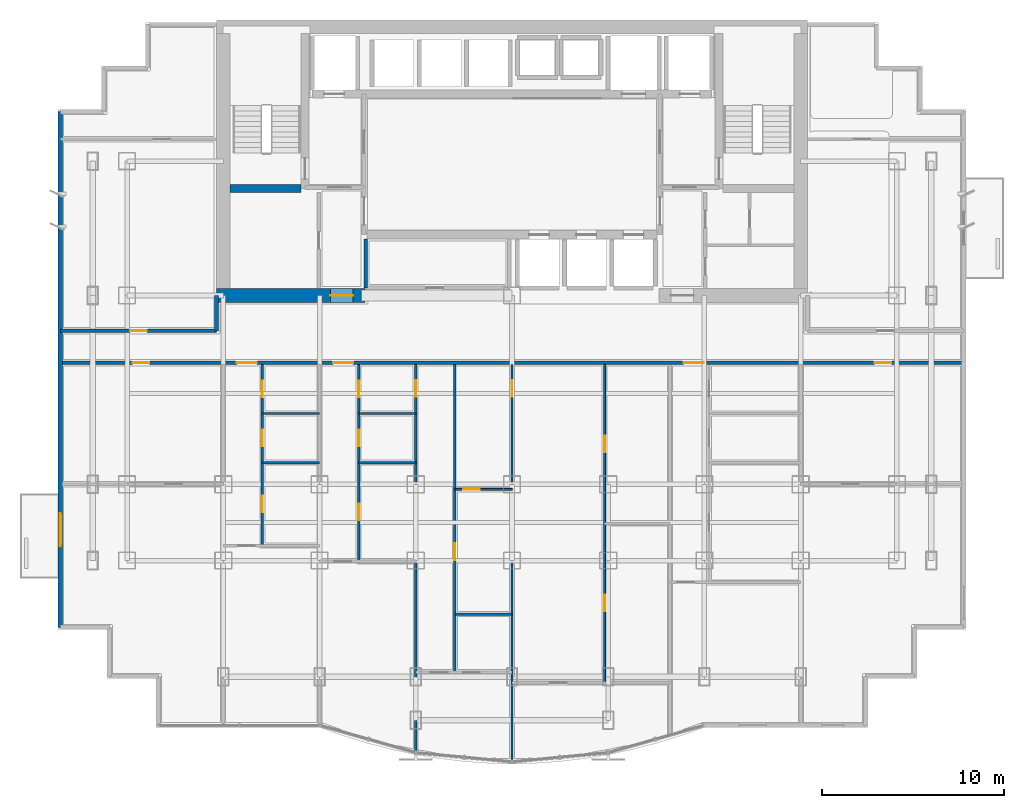
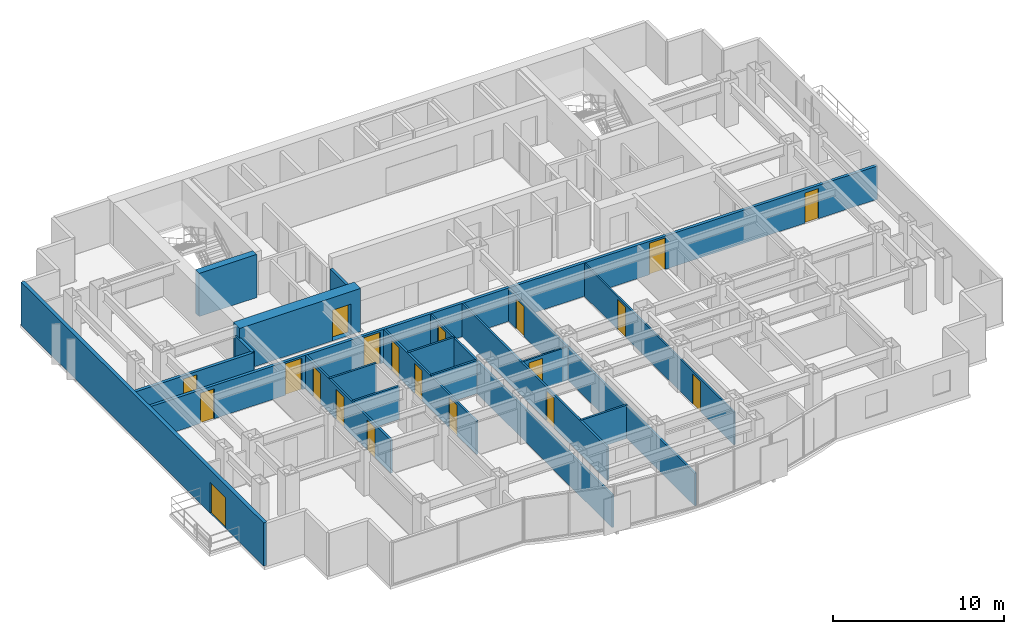
# One storey, part 5 of 10: 20 doors, 19 walls, 20 openings.
"""IFC4 building model written with IfcOpenShell, lengths in metres."""

from ifc_helpers import new_model, si_unit, direction, frame, frame_2d, origin, place, context, subcontext, project, spatial, rectangle, extrude, material, layer, layer_set, type_object, element, fill, save


model = new_model("IFC4")

# Units and contexts
model_context = context("Model", 3, precision=1e-05, world=origin(), true_north=direction((0.0, 1.0)))
body_context = subcontext(model_context, "Body", "Model", "MODEL_VIEW")
ifc_project = project(units=[si_unit("LENGTHUNIT", "METRE"), si_unit("AREAUNIT", "SQUARE_METRE"), si_unit("VOLUMEUNIT", "CUBIC_METRE"), si_unit("PLANEANGLEUNIT", "RADIAN"), si_unit("MASSUNIT", "GRAM", prefix="KILO")], contexts=[model_context])

# Site, building, storey
site_placement = place(None, origin())
site = spatial("IfcSite", under=ifc_project, at=site_placement, CompositionType="ELEMENT")
building_placement = place(site_placement, origin())
building = spatial("IfcBuilding", under=site, at=building_placement, Name="Qianlan Lanfeng Residences", CompositionType="ELEMENT")
storey_placement = place(building_placement, frame((0.0, 0.0, 118.0)))
storey = spatial("IfcBuildingStorey", under=building, at=storey_placement, Name="L32", CompositionType="ELEMENT", Elevation=118.0)

# Wall
ifc_material_1 = material(Name="Concrete C60", Category="concrete")
ifc_layer_1 = layer(ifc_material_1, 0.449951171875)
ifc_layer_set_1 = layer_set([ifc_layer_1], Name="Concrete C60")
wall_type_1 = type_object("IfcWallType", Name="CW-RC-450", PredefinedType="SHEAR", material=ifc_layer_set_1)
wall_1_placement = place(storey_placement, frame((10.97509765625, 31.10009765625, 0.0), z_axis=(0.0, 0.0, 1.0), x_axis=(1.0, 0.0, 0.0)))
element("IfcWall", 1, at=wall_1_placement, inside=storey, type_object=wall_type_1, Name="L32 Core Shear Wall ST1S", PredefinedType="SHEAR", context=body_context, shape_type="SweptSolid", body=[
    extrude(rectangle(XDim=3.89990234375, YDim=0.449951171875, at=frame_2d((1.949951171875, 0.0))), origin(), (0.0, 0.0, 1.0), 3.090087890625),
])

# Wall, opening, door
ifc_layer_2 = layer(ifc_material_1, 0.75)
ifc_layer_set_2 = layer_set([ifc_layer_2], Name="Concrete C60")
wall_type_2 = type_object("IfcWallType", Name="CW-RC-750", PredefinedType="SHEAR", material=ifc_layer_set_2)
wall_2_placement = place(storey_placement, frame((10.22509765625, 25.199951171875, 0.0), z_axis=(0.0, 0.0, 1.0), x_axis=(1.0, 0.0, 0.0)))
wall_2 = element("IfcWall", 2, at=wall_2_placement, inside=storey, type_object=wall_type_2, Name="L32 Core Shear Wall SW", PredefinedType="SHEAR", context=body_context, shape_type="SweptSolid", body=[
    extrude(rectangle(XDim=8.1748046875, YDim=0.75, at=frame_2d((4.08740234375, 0.0))), origin(), (0.0, 0.0, 1.0), 3.090087890625),
])
opening_1_placement = place(wall_2_placement, frame((6.27490234375, 0.0, 0.0)))
opening_1 = element("IfcOpeningElement", 3, at=opening_1_placement, cuts=wall_2, Name="Opening L32-D01", PredefinedType="OPENING", context=body_context, shape_type="SweptSolid", body=[
    extrude(rectangle(XDim=1.25, YDim=2.199951171875, at=frame_2d((0.625, 1.10009765625))), frame((0.0, 0.385009765625, 0.0), z_axis=(0.0, -1.0, 0.0), x_axis=(1.0, 0.0, 0.0)), (0.0, 0.0, 1.0), 0.77001953125),
])
ifc_material_2 = material(Name="Painted Galvanised Steel Fire Door", Category="steel")
door_type_1 = type_object("IfcDoorType", Name="DT-FFL", OperationType="NOTDEFINED", PredefinedType="DOOR", material=ifc_material_2)
door_1_placement = place(opening_1_placement, frame((1.25, 0.0, 0.0), z_axis=(0.0, 0.0, 1.0), x_axis=(-1.0, 0.0, 0.0)))
door_1 = element("IfcDoor", 4, at=door_1_placement, inside=storey, type_object=door_type_1, Name="L32 West Core Lobby Smoke Door L32-D01 (DT-FFL)", OperationType="SINGLE_SWING_RIGHT", OverallHeight=2.199951171875, OverallWidth=1.25, PredefinedType="DOOR", context=body_context, shape_type="SweptSolid", body=[
    extrude(rectangle(XDim=1.25, YDim=2.199951171875, at=frame_2d((0.625, 1.10009765625))), frame((0.0, 0.02490234375, 0.0), z_axis=(0.0, -1.0, 0.0), x_axis=(1.0, 0.0, 0.0)), (0.0, 0.0, 1.0), 0.050048828125),
])
fill(opening_1, door_1)

ifc_material_3 = material(Name="Concrete C42", Category="concrete")
ifc_layer_3 = layer(ifc_material_3, 0.239990234375)
ifc_layer_set_3 = layer_set([ifc_layer_3], Name="Concrete C42")
wall_type_3 = type_object("IfcWallType", Name="EW-240", PredefinedType="SOLIDWALL", material=ifc_layer_set_3)
wall_3_placement = place(storey_placement, frame((1.6201171875, 35.330078125, 0.0), z_axis=(0.0, 0.0, 1.0), x_axis=(0.0, -1.0, 0.0)))
wall_3 = element("IfcWall", 5, at=wall_3_placement, inside=storey, type_object=wall_type_3, Name="L32 Terrace/Balcony Access Exterior Wall 21", PredefinedType="SOLIDWALL", context=body_context, shape_type="SweptSolid", body=[
    extrude(rectangle(XDim=28.41015625, YDim=0.239990234375, at=frame_2d((14.205078125, 0.0))), origin(), (0.0, 0.0, 1.0), 3.090087890625),
])
opening_2_placement = place(wall_3_placement, frame((22.1298828125, 0.0, 0.0)))
opening_2 = element("IfcOpeningElement", 6, at=opening_2_placement, cuts=wall_3, Name="Opening L32-D-WB-S", PredefinedType="OPENING", context=body_context, shape_type="SweptSolid", body=[
    extrude(rectangle(XDim=1.800048828125, YDim=2.199951171875, at=frame_2d((0.89990234375, 1.10009765625))), frame((0.0, 0.1298828125, 0.0), z_axis=(0.0, -1.0, 0.0), x_axis=(1.0, 0.0, 0.0)), (0.0, 0.0, 1.0), 0.260009765625),
])
ifc_material_4 = material(Name="Anodised Bronze Aluminium Framed Glass", Category="aluminium")
door_type_2 = type_object("IfcDoorType", Name="DT-BAL1", OperationType="NOTDEFINED", PredefinedType="DOOR", material=ifc_material_4)
door_2_placement = place(opening_2_placement, frame((1.800048828125, 0.0, 0.0), z_axis=(0.0, 0.0, 1.0), x_axis=(-1.0, 0.0, 0.0)))
door_2 = element("IfcDoor", 7, at=door_2_placement, inside=storey, type_object=door_type_2, Name="L32 Exterior Access Door WB-S", OperationType="DOUBLE_DOOR_SLIDING", OverallHeight=2.199951171875, OverallWidth=1.800048828125, PredefinedType="DOOR", context=body_context, shape_type="SweptSolid", body=[
    extrude(rectangle(XDim=1.800048828125, YDim=2.199951171875, at=frame_2d((0.89990234375, 1.10009765625))), frame((0.0, 0.02490234375, 0.0), z_axis=(0.0, -1.0, 0.0), x_axis=(1.0, 0.0, 0.0)), (0.0, 0.0, 1.0), 0.050048828125),
])
fill(opening_2, door_2)

ifc_material_5 = material(Name="Demountable Acoustic Framing Partition 110 mm")
ifc_layer_4 = layer(ifc_material_5, 0.110107421875)
ifc_layer_set_4 = layer_set([ifc_layer_4], Name="Demountable Acoustic Framing Partition 110 mm")
wall_type_4 = type_object("IfcWallType", Name="PW-110", PredefinedType="MOVABLE", material=ifc_layer_set_4)
wall_4_placement = place(storey_placement, frame((23.35009765625, 14.52294921875, 0.0), z_axis=(0.0, 0.0, 1.0), x_axis=(1.0, 0.0, 0.0)))
wall_4 = element("IfcWall", 8, at=wall_4_placement, inside=storey, type_object=wall_type_4, Name="L32 U02 Wardrobe Split", PredefinedType="MOVABLE", context=body_context, shape_type="SweptSolid", body=[
    extrude(rectangle(XDim=3.14990234375, YDim=0.110107421875, at=frame_2d((1.574951171875, 0.0))), origin(), (0.0, 0.0, 1.0), 2.3798828125),
])
opening_3_placement = place(wall_4_placement, frame((0.465087890625, 0.0, 0.0)))
opening_3 = element("IfcOpeningElement", 9, at=opening_3_placement, cuts=wall_4, Name="Opening L32-D31", PredefinedType="OPENING", context=body_context, shape_type="SweptSolid", body=[
    extrude(rectangle(XDim=0.919921875, YDim=2.14990234375, at=frame_2d((0.4599609375, 1.074951171875))), frame((0.0, 0.06494140625, 0.0), z_axis=(0.0, -1.0, 0.0), x_axis=(1.0, 0.0, 0.0)), (0.0, 0.0, 1.0), 0.130126953125),
])
ifc_material_6 = material(Name="Glazed Timber Kitchen/Study Door", Category="wood")
door_type_3 = type_object("IfcDoorType", Name="DT-INT", OperationType="NOTDEFINED", PredefinedType="DOOR", material=ifc_material_6)
door_3_placement = place(opening_3_placement, frame((0.919921875, 0.0, 0.0), z_axis=(0.0, 0.0, 1.0), x_axis=(-1.0, 0.0, 0.0)))
door_3 = element("IfcDoor", 10, at=door_3_placement, inside=storey, type_object=door_type_3, Name="L32 U02 Dressing Inner Door L32-D31 (DT-INT)", OperationType="SINGLE_SWING_RIGHT", OverallHeight=2.14990234375, OverallWidth=0.919921875, PredefinedType="DOOR", context=body_context, shape_type="SweptSolid", body=[
    extrude(rectangle(XDim=0.919921875, YDim=2.14990234375, at=frame_2d((0.4599609375, 1.074951171875))), frame((0.0, 0.02490234375, 0.0), z_axis=(0.0, -1.0, 0.0), x_axis=(1.0, 0.0, 0.0)), (0.0, 0.0, 1.0), 0.050048828125),
])
fill(opening_3, door_3)

# Wall, openings, doors
wall_5_placement = place(storey_placement, frame((31.60009765625, 3.875, 0.0), z_axis=(0.0, 0.0, 1.0), x_axis=(0.0, 1.0, 0.0)))
wall_5 = element("IfcWall", 11, at=wall_5_placement, inside=storey, type_object=wall_type_4, Name="L32 U02 Bedroom 2 Hall Wall", PredefinedType="MOVABLE", context=body_context, shape_type="SweptSolid", body=[
    extrude(rectangle(XDim=17.52490234375, YDim=0.110107421875, at=frame_2d((8.762451171875, 0.0))), origin(), (0.0, 0.0, 1.0), 2.3349609375),
])
opening_4_placement = place(wall_5_placement, frame((3.9208984375, 0.0, 0.0)))
opening_4 = element("IfcOpeningElement", 12, at=opening_4_placement, cuts=wall_5, Name="Opening L32-D33", PredefinedType="OPENING", context=body_context, shape_type="SweptSolid", body=[
    extrude(rectangle(XDim=0.919921875, YDim=2.14990234375, at=frame_2d((0.4599609375, 1.074951171875))), frame((0.0, 0.06494140625, 0.0), z_axis=(0.0, -1.0, 0.0), x_axis=(1.0, 0.0, 0.0)), (0.0, 0.0, 1.0), 0.130126953125),
])
opening_5_placement = place(wall_5_placement, frame((12.68310546875, 0.0, 0.0)))
opening_5 = element("IfcOpeningElement", 13, at=opening_5_placement, cuts=wall_5, Name="Opening L32-D34", PredefinedType="OPENING", context=body_context, shape_type="SweptSolid", body=[
    extrude(rectangle(XDim=0.919921875, YDim=2.14990234375, at=frame_2d((0.4599609375, 1.074951171875))), frame((0.0, 0.06494140625, 0.0), z_axis=(0.0, -1.0, 0.0), x_axis=(1.0, 0.0, 0.0)), (0.0, 0.0, 1.0), 0.130126953125),
])
door_4_placement = place(opening_4_placement, origin())
door_4 = element("IfcDoor", 14, at=door_4_placement, inside=storey, type_object=door_type_3, Name="L32 U02 Utility Door L32-D33 (DT-INT)", OperationType="SINGLE_SWING_LEFT", OverallHeight=2.14990234375, OverallWidth=0.919921875, PredefinedType="DOOR", context=body_context, shape_type="SweptSolid", body=[
    extrude(rectangle(XDim=0.919921875, YDim=2.14990234375, at=frame_2d((0.4599609375, 1.074951171875))), frame((0.0, 0.02490234375, 0.0), z_axis=(0.0, -1.0, 0.0), x_axis=(1.0, 0.0, 0.0)), (0.0, 0.0, 1.0), 0.050048828125),
])
fill(opening_4, door_4)
door_5_placement = place(opening_5_placement, origin())
door_5 = element("IfcDoor", 15, at=door_5_placement, inside=storey, type_object=door_type_3, Name="L32 U02 Specialty Door L32-D34 (DT-INT)", OperationType="SINGLE_SWING_RIGHT", OverallHeight=2.14990234375, OverallWidth=0.919921875, PredefinedType="DOOR", context=body_context, shape_type="SweptSolid", body=[
    extrude(rectangle(XDim=0.919921875, YDim=2.14990234375, at=frame_2d((0.4599609375, 1.074951171875))), frame((0.0, 0.02490234375, 0.0), z_axis=(0.0, -1.0, 0.0), x_axis=(1.0, 0.0, 0.0)), (0.0, 0.0, 1.0), 0.050048828125),
])
fill(opening_5, door_5)

ifc_material_7 = material(Name="Moisture-Resistant Gypsum Partition 135 mm")
ifc_layer_5 = layer(ifc_material_7, 0.135009765625)
ifc_layer_set_5 = layer_set([ifc_layer_5], Name="Moisture-Resistant Gypsum Partition 135 mm")
wall_type_5 = type_object("IfcWallType", Name="PW-135", PredefinedType="PARTITIONING", material=ifc_layer_set_5)
wall_6_placement = place(storey_placement, frame((12.75, 11.419921875, 0.0), z_axis=(0.0, 0.0, 1.0), x_axis=(0.0, 1.0, 0.0)))
wall_6 = element("IfcWall", 16, at=wall_6_placement, inside=storey, type_object=wall_type_5, Name="L32 U01 Entry Hall Spine", PredefinedType="PARTITIONING", context=body_context, shape_type="SweptSolid", body=[
    extrude(rectangle(XDim=9.97998046875, YDim=0.135009765625, at=frame_2d((4.989990234375, 0.0))), origin(), (0.0, 0.0, 1.0), 2.3798828125),
])
opening_6_placement = place(wall_6_placement, frame((1.830078125, 0.0, 0.0)))
opening_6 = element("IfcOpeningElement", 17, at=opening_6_placement, cuts=wall_6, Name="Opening L32-D18", PredefinedType="OPENING", context=body_context, shape_type="SweptSolid", body=[
    extrude(rectangle(XDim=0.919921875, YDim=2.14990234375, at=frame_2d((0.4599609375, 1.074951171875))), frame((0.0, 0.07763671875, 0.0), z_axis=(0.0, -1.0, 0.0), x_axis=(1.0, 0.0, 0.0)), (0.0, 0.0, 1.0), 0.155029296875),
])
opening_7_placement = place(wall_6_placement, frame((5.469970703125, 0.0, 0.0)))
opening_7 = element("IfcOpeningElement", 18, at=opening_7_placement, cuts=wall_6, Name="Opening L32-D19", PredefinedType="OPENING", context=body_context, shape_type="SweptSolid", body=[
    extrude(rectangle(XDim=0.919921875, YDim=2.14990234375, at=frame_2d((0.4599609375, 1.074951171875))), frame((0.0, 0.07763671875, 0.0), z_axis=(0.0, -1.0, 0.0), x_axis=(1.0, 0.0, 0.0)), (0.0, 0.0, 1.0), 0.155029296875),
])
opening_8_placement = place(wall_6_placement, frame((8.179931640625, 0.0, 0.0)))
opening_8 = element("IfcOpeningElement", 19, at=opening_8_placement, cuts=wall_6, Name="Opening L32-D20", PredefinedType="OPENING", context=body_context, shape_type="SweptSolid", body=[
    extrude(rectangle(XDim=0.89990234375, YDim=2.14990234375, at=frame_2d((0.449951171875, 1.074951171875))), frame((0.0, 0.07763671875, 0.0), z_axis=(0.0, -1.0, 0.0), x_axis=(1.0, 0.0, 0.0)), (0.0, 0.0, 1.0), 0.155029296875),
])
door_6_placement = place(opening_6_placement, origin())
door_6 = element("IfcDoor", 20, at=door_6_placement, inside=storey, type_object=door_type_3, Name="L32 U01 Study Door L32-D18 (DT-INT)", OperationType="SINGLE_SWING_RIGHT", OverallHeight=2.14990234375, OverallWidth=0.919921875, PredefinedType="DOOR", context=body_context, shape_type="SweptSolid", body=[
    extrude(rectangle(XDim=0.919921875, YDim=2.14990234375, at=frame_2d((0.4599609375, 1.074951171875))), frame((0.0, 0.02490234375, 0.0), z_axis=(0.0, -1.0, 0.0), x_axis=(1.0, 0.0, 0.0)), (0.0, 0.0, 1.0), 0.050048828125),
])
fill(opening_6, door_6)
door_7_placement = place(opening_7_placement, origin())
door_7 = element("IfcDoor", 21, at=door_7_placement, inside=storey, type_object=door_type_3, Name="L32 U01 Kitchen Door L32-D19 (DT-INT)", OperationType="SINGLE_SWING_LEFT", OverallHeight=2.14990234375, OverallWidth=0.919921875, PredefinedType="DOOR", context=body_context, shape_type="SweptSolid", body=[
    extrude(rectangle(XDim=0.919921875, YDim=2.14990234375, at=frame_2d((0.4599609375, 1.074951171875))), frame((0.0, 0.02490234375, 0.0), z_axis=(0.0, -1.0, 0.0), x_axis=(1.0, 0.0, 0.0)), (0.0, 0.0, 1.0), 0.050048828125),
])
fill(opening_7, door_7)
ifc_material_8 = material(Name="Moisture-Resistant Timber Leaf", Category="wood")
door_type_4 = type_object("IfcDoorType", Name="DT-WC", OperationType="NOTDEFINED", PredefinedType="DOOR", material=ifc_material_8)
door_8_placement = place(opening_8_placement, origin())
door_8 = element("IfcDoor", 22, at=door_8_placement, inside=storey, type_object=door_type_4, Name="L32 U01 Bathroom Door L32-D20 (DT-WC)", OperationType="SINGLE_SWING_RIGHT", OverallHeight=2.14990234375, OverallWidth=0.89990234375, PredefinedType="DOOR", context=body_context, shape_type="SweptSolid", body=[
    extrude(rectangle(XDim=0.89990234375, YDim=2.14990234375, at=frame_2d((0.449951171875, 1.074951171875))), frame((0.0, 0.02490234375, 0.0), z_axis=(0.0, -1.0, 0.0), x_axis=(1.0, 0.0, 0.0)), (0.0, 0.0, 1.0), 0.050048828125),
])
fill(opening_8, door_8)

# Walls
for number, where, z_axis, x_axis, name in (
    (23, (12.75, 16.0, 0.0), (0.0, 0.0, 1.0), (1.0, 0.0, 0.0), "L32 U01 Kitchen South Wall"),
    (24, (12.75, 18.699951171875, 0.0), (0.0, 0.0, 1.0), (1.0, 0.0, 0.0), "L32 U01 Bathroom South Wall"),
):
    element("IfcWall", number, at=place(storey_placement, frame(where, z_axis=z_axis, x_axis=x_axis)), inside=storey, type_object=wall_type_5, Name=name, PredefinedType="PARTITIONING", context=body_context, shape_type="SweptSolid", body=[
        extrude(rectangle(XDim=3.14990234375, YDim=0.135009765625, at=frame_2d((1.574951171875, 0.0))), origin(), (0.0, 0.0, 1.0), 2.3798828125),
    ])

# Wall, opening, door
wall_7_placement = place(storey_placement, frame((21.199951171875, 0.126953125, 0.0), z_axis=(0.0, 0.0, 1.0), x_axis=(0.0, 1.0, 0.0)))
wall_7 = element("IfcWall", 25, at=wall_7_placement, inside=storey, type_object=wall_type_5, Name="L32 U02 Bay Spine Wall 1", PredefinedType="PARTITIONING", context=body_context, shape_type="SweptSolid", body=[
    extrude(rectangle(XDim=21.27294921875, YDim=0.135009765625, at=frame_2d((10.636474609375, 0.0))), origin(), (0.0, 0.0, 1.0), 2.3349609375),
])
opening_9_placement = place(wall_7_placement, frame((19.488037109375, 0.0, 0.0)))
opening_9 = element("IfcOpeningElement", 26, at=opening_9_placement, cuts=wall_7, Name="Opening L32-D22", PredefinedType="OPENING", context=body_context, shape_type="SweptSolid", body=[
    extrude(rectangle(XDim=0.919921875, YDim=2.14990234375, at=frame_2d((0.4599609375, 1.074951171875))), frame((0.0, 0.07763671875, 0.0), z_axis=(0.0, -1.0, 0.0), x_axis=(1.0, 0.0, 0.0)), (0.0, 0.0, 1.0), 0.155029296875),
])
door_9_placement = place(opening_9_placement, origin())
door_9 = element("IfcDoor", 27, at=door_9_placement, inside=storey, type_object=door_type_3, Name="L32 U02 Internal Hall Door L32-D22 (DT-INT)", OperationType="SINGLE_SWING_RIGHT", OverallHeight=2.14990234375, OverallWidth=0.919921875, PredefinedType="DOOR", context=body_context, shape_type="SweptSolid", body=[
    extrude(rectangle(XDim=0.919921875, YDim=2.14990234375, at=frame_2d((0.4599609375, 1.074951171875))), frame((0.0, 0.02490234375, 0.0), z_axis=(0.0, -1.0, 0.0), x_axis=(1.0, 0.0, 0.0)), (0.0, 0.0, 1.0), 0.050048828125),
])
fill(opening_9, door_9)

wall_8_placement = place(storey_placement, frame((26.5, -0.3798828125, 0.0), z_axis=(0.0, 0.0, 1.0), x_axis=(0.0, 1.0, 0.0)))
wall_8 = element("IfcWall", 28, at=wall_8_placement, inside=storey, type_object=wall_type_5, Name="L32 U02 Bay Spine Wall 2", PredefinedType="PARTITIONING", context=body_context, shape_type="SweptSolid", body=[
    extrude(rectangle(XDim=21.77978515625, YDim=0.135009765625, at=frame_2d((10.889892578125, 0.0))), origin(), (0.0, 0.0, 1.0), 2.3349609375),
])
opening_10_placement = place(wall_8_placement, frame((19.9951171875, 0.0, 0.0)))
opening_10 = element("IfcOpeningElement", 29, at=opening_10_placement, cuts=wall_8, Name="Opening L32-D23", PredefinedType="OPENING", context=body_context, shape_type="SweptSolid", body=[
    extrude(rectangle(XDim=0.919921875, YDim=2.14990234375, at=frame_2d((0.4599609375, 1.074951171875))), frame((0.0, 0.07763671875, 0.0), z_axis=(0.0, -1.0, 0.0), x_axis=(1.0, 0.0, 0.0)), (0.0, 0.0, 1.0), 0.155029296875),
])
door_10_placement = place(opening_10_placement, origin())
door_10 = element("IfcDoor", 30, at=door_10_placement, inside=storey, type_object=door_type_3, Name="L32 U02 Internal Hall Door L32-D23 (DT-INT)", OperationType="SINGLE_SWING_LEFT", OverallHeight=2.14990234375, OverallWidth=0.919921875, PredefinedType="DOOR", context=body_context, shape_type="SweptSolid", body=[
    extrude(rectangle(XDim=0.919921875, YDim=2.14990234375, at=frame_2d((0.4599609375, 1.074951171875))), frame((0.0, 0.02490234375, 0.0), z_axis=(0.0, -1.0, 0.0), x_axis=(1.0, 0.0, 0.0)), (0.0, 0.0, 1.0), 0.050048828125),
])
fill(opening_10, door_10)

# Wall, openings, doors
wall_9_placement = place(storey_placement, frame((18.050048828125, 10.56005859375, 0.0), z_axis=(0.0, 0.0, 1.0), x_axis=(0.0, 1.0, 0.0)))
wall_9 = element("IfcWall", 31, at=wall_9_placement, inside=storey, type_object=wall_type_5, Name="L32 U02 Entry Hall Spine", PredefinedType="PARTITIONING", context=body_context, shape_type="SweptSolid", body=[
    extrude(rectangle(XDim=10.83984375, YDim=0.135009765625, at=frame_2d((5.419921875, 0.0))), origin(), (0.0, 0.0, 1.0), 2.3798828125),
])
opening_11_placement = place(wall_9_placement, frame((2.260009765625, 0.0, 0.0)))
opening_11 = element("IfcOpeningElement", 32, at=opening_11_placement, cuts=wall_9, Name="Opening L32-D25", PredefinedType="OPENING", context=body_context, shape_type="SweptSolid", body=[
    extrude(rectangle(XDim=0.919921875, YDim=2.14990234375, at=frame_2d((0.4599609375, 1.074951171875))), frame((0.0, 0.07763671875, 0.0), z_axis=(0.0, -1.0, 0.0), x_axis=(1.0, 0.0, 0.0)), (0.0, 0.0, 1.0), 0.155029296875),
])
opening_12_placement = place(wall_9_placement, frame((6.330078125, 0.0, 0.0)))
opening_12 = element("IfcOpeningElement", 33, at=opening_12_placement, cuts=wall_9, Name="Opening L32-D26", PredefinedType="OPENING", context=body_context, shape_type="SweptSolid", body=[
    extrude(rectangle(XDim=0.919921875, YDim=2.14990234375, at=frame_2d((0.4599609375, 1.074951171875))), frame((0.0, 0.07763671875, 0.0), z_axis=(0.0, -1.0, 0.0), x_axis=(1.0, 0.0, 0.0)), (0.0, 0.0, 1.0), 0.155029296875),
])
opening_13_placement = place(wall_9_placement, frame((9.0400390625, 0.0, 0.0)))
opening_13 = element("IfcOpeningElement", 34, at=opening_13_placement, cuts=wall_9, Name="Opening L32-D27", PredefinedType="OPENING", context=body_context, shape_type="SweptSolid", body=[
    extrude(rectangle(XDim=0.89990234375, YDim=2.14990234375, at=frame_2d((0.449951171875, 1.074951171875))), frame((0.0, 0.07763671875, 0.0), z_axis=(0.0, -1.0, 0.0), x_axis=(1.0, 0.0, 0.0)), (0.0, 0.0, 1.0), 0.155029296875),
])
door_11_placement = place(opening_11_placement, origin())
door_11 = element("IfcDoor", 35, at=door_11_placement, inside=storey, type_object=door_type_3, Name="L32 U02 Study Door L32-D25 (DT-INT)", OperationType="SINGLE_SWING_LEFT", OverallHeight=2.14990234375, OverallWidth=0.919921875, PredefinedType="DOOR", context=body_context, shape_type="SweptSolid", body=[
    extrude(rectangle(XDim=0.919921875, YDim=2.14990234375, at=frame_2d((0.4599609375, 1.074951171875))), frame((0.0, 0.02490234375, 0.0), z_axis=(0.0, -1.0, 0.0), x_axis=(1.0, 0.0, 0.0)), (0.0, 0.0, 1.0), 0.050048828125),
])
fill(opening_11, door_11)
door_12_placement = place(opening_12_placement, origin())
door_12 = element("IfcDoor", 36, at=door_12_placement, inside=storey, type_object=door_type_3, Name="L32 U02 Kitchen Door L32-D26 (DT-INT)", OperationType="SINGLE_SWING_RIGHT", OverallHeight=2.14990234375, OverallWidth=0.919921875, PredefinedType="DOOR", context=body_context, shape_type="SweptSolid", body=[
    extrude(rectangle(XDim=0.919921875, YDim=2.14990234375, at=frame_2d((0.4599609375, 1.074951171875))), frame((0.0, 0.02490234375, 0.0), z_axis=(0.0, -1.0, 0.0), x_axis=(1.0, 0.0, 0.0)), (0.0, 0.0, 1.0), 0.050048828125),
])
fill(opening_12, door_12)
door_13_placement = place(opening_13_placement, origin())
door_13 = element("IfcDoor", 37, at=door_13_placement, inside=storey, type_object=door_type_4, Name="L32 U02 Bathroom Door L32-D27 (DT-WC)", OperationType="SINGLE_SWING_LEFT", OverallHeight=2.14990234375, OverallWidth=0.89990234375, PredefinedType="DOOR", context=body_context, shape_type="SweptSolid", body=[
    extrude(rectangle(XDim=0.89990234375, YDim=2.14990234375, at=frame_2d((0.449951171875, 1.074951171875))), frame((0.0, 0.02490234375, 0.0), z_axis=(0.0, -1.0, 0.0), x_axis=(1.0, 0.0, 0.0)), (0.0, 0.0, 1.0), 0.050048828125),
])
fill(opening_13, door_13)

# Walls
for number, where, z_axis, x_axis, name in (
    (38, (18.050048828125, 16.0, 0.0), (0.0, 0.0, 1.0), (1.0, 0.0, 0.0), "L32 U02 Kitchen South Wall"),
    (39, (18.050048828125, 18.699951171875, 0.0), (0.0, 0.0, 1.0), (1.0, 0.0, 0.0), "L32 U02 Bathroom South Wall"),
):
    element("IfcWall", number, at=place(storey_placement, frame(where, z_axis=z_axis, x_axis=x_axis)), inside=storey, type_object=wall_type_5, Name=name, PredefinedType="PARTITIONING", context=body_context, shape_type="SweptSolid", body=[
        extrude(rectangle(XDim=3.14990234375, YDim=0.135009765625, at=frame_2d((1.574951171875, 0.0))), origin(), (0.0, 0.0, 1.0), 2.3798828125),
    ])

# Wall, opening, door
wall_10_placement = place(storey_placement, frame((23.35009765625, 4.447021484375, 0.0), z_axis=(0.0, 0.0, 1.0), x_axis=(0.0, 1.0, 0.0)))
wall_10 = element("IfcWall", 40, at=wall_10_placement, inside=storey, type_object=wall_type_5, Name="L32 U02 Master Passage Wall", PredefinedType="PARTITIONING", context=body_context, shape_type="SweptSolid", body=[
    extrude(rectangle(XDim=16.952880859375, YDim=0.135009765625, at=frame_2d((8.4765625, 0.0))), origin(), (0.0, 0.0, 1.0), 2.3798828125),
])
opening_14_placement = place(wall_10_placement, frame((6.177978515625, 0.0, 0.0)))
opening_14 = element("IfcOpeningElement", 41, at=opening_14_placement, cuts=wall_10, Name="Opening L32-D30", PredefinedType="OPENING", context=body_context, shape_type="SweptSolid", body=[
    extrude(rectangle(XDim=0.919921875, YDim=2.14990234375, at=frame_2d((0.4599609375, 1.074951171875))), frame((0.0, 0.07763671875, 0.0), z_axis=(0.0, -1.0, 0.0), x_axis=(1.0, 0.0, 0.0)), (0.0, 0.0, 1.0), 0.155029296875),
])
door_14_placement = place(opening_14_placement, origin())
door_14 = element("IfcDoor", 42, at=door_14_placement, inside=storey, type_object=door_type_3, Name="L32 U02 Wardrobe Door L32-D30 (DT-INT)", OperationType="SINGLE_SWING_RIGHT", OverallHeight=2.14990234375, OverallWidth=0.919921875, PredefinedType="DOOR", context=body_context, shape_type="SweptSolid", body=[
    extrude(rectangle(XDim=0.919921875, YDim=2.14990234375, at=frame_2d((0.4599609375, 1.074951171875))), frame((0.0, 0.02490234375, 0.0), z_axis=(0.0, -1.0, 0.0), x_axis=(1.0, 0.0, 0.0)), (0.0, 0.0, 1.0), 0.050048828125),
])
fill(opening_14, door_14)

# Walls
wall_11_placement = place(storey_placement, frame((23.35009765625, 7.64697265625, 0.0), z_axis=(0.0, 0.0, 1.0), x_axis=(1.0, 0.0, 0.0)))
element("IfcWall", 43, at=wall_11_placement, inside=storey, type_object=wall_type_5, Name="L32 U02 En-Suite North Wall", PredefinedType="PARTITIONING", context=body_context, shape_type="SweptSolid", body=[
    extrude(rectangle(XDim=3.14990234375, YDim=0.135009765625, at=frame_2d((1.574951171875, 0.0))), origin(), (0.0, 0.0, 1.0), 2.3798828125),
])
ifc_material_9 = material(Name="Double-Layer Acoustic Gypsum Stud Wall 180 mm")
ifc_layer_6 = layer(ifc_material_9, 0.179931640625)
ifc_layer_set_6 = layer_set([ifc_layer_6], Name="Double-Layer Acoustic Gypsum Stud Wall 180 mm")
wall_type_6 = type_object("IfcWallType", Name="PW-180", PredefinedType="PARTITIONING", material=ifc_layer_set_6)
wall_12_placement = place(storey_placement, frame((18.449951171875, 25.6201171875, 0.0), z_axis=(0.0, 0.0, 1.0), x_axis=(0.0, 1.0, 0.0)))
element("IfcWall", 44, at=wall_12_placement, inside=storey, type_object=wall_type_6, Name="L32 Reclaimed Low-Bank Room West Wall", PredefinedType="PARTITIONING", context=body_context, shape_type="SweptSolid", body=[
    extrude(rectangle(XDim=2.704833984375, YDim=0.179931640625, at=frame_2d((1.3525390625, 0.0))), origin(), (0.0, 0.0, 1.0), 2.3798828125),
])

# Wall, openings, doors
ifc_material_10 = material(Name="Autoclaved Aerated Concrete Blockwork 200 mm", Category="masonry")
ifc_layer_7 = layer(ifc_material_10, 0.199951171875)
ifc_layer_set_7 = layer_set([ifc_layer_7], Name="Autoclaved Aerated Concrete Blockwork 200 mm")
wall_type_7 = type_object("IfcWallType", Name="PW-200", PredefinedType="PARTITIONING", material=ifc_layer_set_7)
wall_13_placement = place(storey_placement, frame((1.6201171875, 21.5, 0.0), z_axis=(0.0, 0.0, 1.0), x_axis=(1.0, 0.0, 0.0)))
wall_13 = element("IfcWall", 45, at=wall_13_placement, inside=storey, type_object=wall_type_7, Name="L32 Residential Corridor South Fire Wall", PredefinedType="PARTITIONING", context=body_context, shape_type="SweptSolid", body=[
    extrude(rectangle(XDim=49.759765625, YDim=0.199951171875, at=frame_2d((24.8798828125, 0.0))), origin(), (0.0, 0.0, 1.0), 2.3798828125),
])
opening_15_placement = place(wall_13_placement, frame((9.72998046875, 0.0, 0.0)))
opening_15 = element("IfcOpeningElement", 46, at=opening_15_placement, cuts=wall_13, Name="Opening L32-D16", PredefinedType="OPENING", context=body_context, shape_type="SweptSolid", body=[
    extrude(rectangle(XDim=1.10009765625, YDim=2.25, at=frame_2d((0.550048828125, 1.125))), frame((0.0, 0.10986328125, 0.0), z_axis=(0.0, -1.0, 0.0), x_axis=(1.0, 0.0, 0.0)), (0.0, 0.0, 1.0), 0.219970703125),
])
opening_16_placement = place(wall_13_placement, frame((15.030029296875, 0.0, 0.0)))
opening_16 = element("IfcOpeningElement", 47, at=opening_16_placement, cuts=wall_13, Name="Opening L32-D21", PredefinedType="OPENING", context=body_context, shape_type="SweptSolid", body=[
    extrude(rectangle(XDim=1.10009765625, YDim=2.25, at=frame_2d((0.550048828125, 1.125))), frame((0.0, 0.10986328125, 0.0), z_axis=(0.0, -1.0, 0.0), x_axis=(1.0, 0.0, 0.0)), (0.0, 0.0, 1.0), 0.219970703125),
])
opening_17_placement = place(wall_13_placement, frame((34.330078125, 0.0, 0.0)))
opening_17 = element("IfcOpeningElement", 48, at=opening_17_placement, cuts=wall_13, Name="Opening L32-D35", PredefinedType="OPENING", context=body_context, shape_type="SweptSolid", body=[
    extrude(rectangle(XDim=1.10009765625, YDim=2.25, at=frame_2d((0.550048828125, 1.125))), frame((0.0, 0.10986328125, 0.0), z_axis=(0.0, -1.0, 0.0), x_axis=(1.0, 0.0, 0.0)), (0.0, 0.0, 1.0), 0.219970703125),
])
opening_18_placement = place(wall_13_placement, frame((3.985107421875, 0.0, 0.0)))
opening_18 = element("IfcOpeningElement", 49, at=opening_18_placement, cuts=wall_13, Name="Opening L32-D41", PredefinedType="OPENING", context=body_context, shape_type="SweptSolid", body=[
    extrude(rectangle(XDim=0.919921875, YDim=2.14990234375, at=frame_2d((0.4599609375, 1.074951171875))), frame((0.0, 0.10986328125, 0.0), z_axis=(0.0, -1.0, 0.0), x_axis=(1.0, 0.0, 0.0)), (0.0, 0.0, 1.0), 0.219970703125),
])
opening_19_placement = place(wall_13_placement, frame((44.85498046875, 0.0, 0.0)))
opening_19 = element("IfcOpeningElement", 50, at=opening_19_placement, cuts=wall_13, Name="Opening L32-D43", PredefinedType="OPENING", context=body_context, shape_type="SweptSolid", body=[
    extrude(rectangle(XDim=0.919921875, YDim=2.14990234375, at=frame_2d((0.4599609375, 1.074951171875))), frame((0.0, 0.10986328125, 0.0), z_axis=(0.0, -1.0, 0.0), x_axis=(1.0, 0.0, 0.0)), (0.0, 0.0, 1.0), 0.219970703125),
])
door_15_placement = place(opening_18_placement, origin())
door_15 = element("IfcDoor", 51, at=door_15_placement, inside=storey, type_object=door_type_3, Name="L32 SWP Corridor Door L32-D41 (DT-INT)", OperationType="SINGLE_SWING_LEFT", OverallHeight=2.14990234375, OverallWidth=0.919921875, PredefinedType="DOOR", context=body_context, shape_type="SweptSolid", body=[
    extrude(rectangle(XDim=0.919921875, YDim=2.14990234375, at=frame_2d((0.4599609375, 1.074951171875))), frame((0.0, 0.02490234375, 0.0), z_axis=(0.0, -1.0, 0.0), x_axis=(1.0, 0.0, 0.0)), (0.0, 0.0, 1.0), 0.050048828125),
])
fill(opening_18, door_15)
door_16_placement = place(opening_19_placement, origin())
door_16 = element("IfcDoor", 52, at=door_16_placement, inside=storey, type_object=door_type_3, Name="L32 SEP Corridor Door L32-D43 (DT-INT)", OperationType="SINGLE_SWING_LEFT", OverallHeight=2.14990234375, OverallWidth=0.919921875, PredefinedType="DOOR", context=body_context, shape_type="SweptSolid", body=[
    extrude(rectangle(XDim=0.919921875, YDim=2.14990234375, at=frame_2d((0.4599609375, 1.074951171875))), frame((0.0, 0.02490234375, 0.0), z_axis=(0.0, -1.0, 0.0), x_axis=(1.0, 0.0, 0.0)), (0.0, 0.0, 1.0), 0.050048828125),
])
fill(opening_19, door_16)
ifc_material_11 = material(Name="Solid-Core Oak Veneer Fire Door")
door_type_5 = type_object("IfcDoorType", Name="DT-UNIT", OperationType="NOTDEFINED", PredefinedType="DOOR", material=ifc_material_11)
door_17_placement = place(opening_15_placement, origin())
door_17 = element("IfcDoor", 53, at=door_17_placement, inside=storey, type_object=door_type_5, Name="L32 Apartment U01 Entrance Door L32-D16 (DT-UNIT)", OperationType="SINGLE_SWING_RIGHT", OverallHeight=2.25, OverallWidth=1.10009765625, PredefinedType="DOOR", context=body_context, shape_type="SweptSolid", body=[
    extrude(rectangle(XDim=1.10009765625, YDim=2.25, at=frame_2d((0.550048828125, 1.125))), frame((0.0, 0.02490234375, 0.0), z_axis=(0.0, -1.0, 0.0), x_axis=(1.0, 0.0, 0.0)), (0.0, 0.0, 1.0), 0.050048828125),
])
fill(opening_15, door_17)
door_18_placement = place(opening_16_placement, origin())
door_18 = element("IfcDoor", 54, at=door_18_placement, inside=storey, type_object=door_type_5, Name="L32 Apartment U02 Entrance Door L32-D21 (DT-UNIT)", OperationType="SINGLE_SWING_RIGHT", OverallHeight=2.25, OverallWidth=1.10009765625, PredefinedType="DOOR", context=body_context, shape_type="SweptSolid", body=[
    extrude(rectangle(XDim=1.10009765625, YDim=2.25, at=frame_2d((0.550048828125, 1.125))), frame((0.0, 0.02490234375, 0.0), z_axis=(0.0, -1.0, 0.0), x_axis=(1.0, 0.0, 0.0)), (0.0, 0.0, 1.0), 0.050048828125),
])
fill(opening_16, door_18)
door_19_placement = place(opening_17_placement, origin())
door_19 = element("IfcDoor", 55, at=door_19_placement, inside=storey, type_object=door_type_5, Name="L32 Apartment U03 Entrance Door L32-D35 (DT-UNIT)", OperationType="SINGLE_SWING_RIGHT", OverallHeight=2.25, OverallWidth=1.10009765625, PredefinedType="DOOR", context=body_context, shape_type="SweptSolid", body=[
    extrude(rectangle(XDim=1.10009765625, YDim=2.25, at=frame_2d((0.550048828125, 1.125))), frame((0.0, 0.02490234375, 0.0), z_axis=(0.0, -1.0, 0.0), x_axis=(1.0, 0.0, 0.0)), (0.0, 0.0, 1.0), 0.050048828125),
])
fill(opening_17, door_19)

# Wall, opening, door
wall_14_placement = place(storey_placement, frame((1.6201171875, 23.25, 0.0), z_axis=(0.0, 0.0, 1.0), x_axis=(1.0, 0.0, 0.0)))
wall_14 = element("IfcWall", 56, at=wall_14_placement, inside=storey, type_object=wall_type_7, Name="L32 Corridor NW Wall", PredefinedType="PARTITIONING", context=body_context, shape_type="SweptSolid", body=[
    extrude(rectangle(XDim=8.60498046875, YDim=0.199951171875, at=frame_2d((4.302490234375, 0.0))), origin(), (0.0, 0.0, 1.0), 2.3798828125),
])
opening_20_placement = place(wall_14_placement, frame((3.842041015625, 0.0, 0.0)))
opening_20 = element("IfcOpeningElement", 57, at=opening_20_placement, cuts=wall_14, Name="Opening L32-D45", PredefinedType="OPENING", context=body_context, shape_type="SweptSolid", body=[
    extrude(rectangle(XDim=0.919921875, YDim=2.14990234375, at=frame_2d((0.4599609375, 1.074951171875))), frame((0.0, 0.10986328125, 0.0), z_axis=(0.0, -1.0, 0.0), x_axis=(1.0, 0.0, 0.0)), (0.0, 0.0, 1.0), 0.219970703125),
])
door_20_placement = place(opening_20_placement, origin())
door_20 = element("IfcDoor", 58, at=door_20_placement, inside=storey, type_object=door_type_3, Name="L32 WW Amenity Salon Door L32-D45 (DT-INT)", OperationType="SINGLE_SWING_LEFT", OverallHeight=2.14990234375, OverallWidth=0.919921875, PredefinedType="DOOR", context=body_context, shape_type="SweptSolid", body=[
    extrude(rectangle(XDim=0.919921875, YDim=2.14990234375, at=frame_2d((0.4599609375, 1.074951171875))), frame((0.0, 0.02490234375, 0.0), z_axis=(0.0, -1.0, 0.0), x_axis=(1.0, 0.0, 0.0)), (0.0, 0.0, 1.0), 0.050048828125),
])
fill(opening_20, door_20)

# Wall
wall_15_placement = place(storey_placement, frame((10.22509765625, 23.25, 0.0), z_axis=(0.0, 0.0, 1.0), x_axis=(0.0, 1.0, 0.0)))
element("IfcWall", 59, at=wall_15_placement, inside=storey, type_object=wall_type_7, Name="L32 NW Wing Core Return Wall", PredefinedType="PARTITIONING", context=body_context, shape_type="SweptSolid", body=[
    extrude(rectangle(XDim=1.949951171875, YDim=0.199951171875, at=frame_2d((0.97509765625, 0.0))), origin(), (0.0, 0.0, 1.0), 2.3798828125),
])

save(model, "model.ifc")
